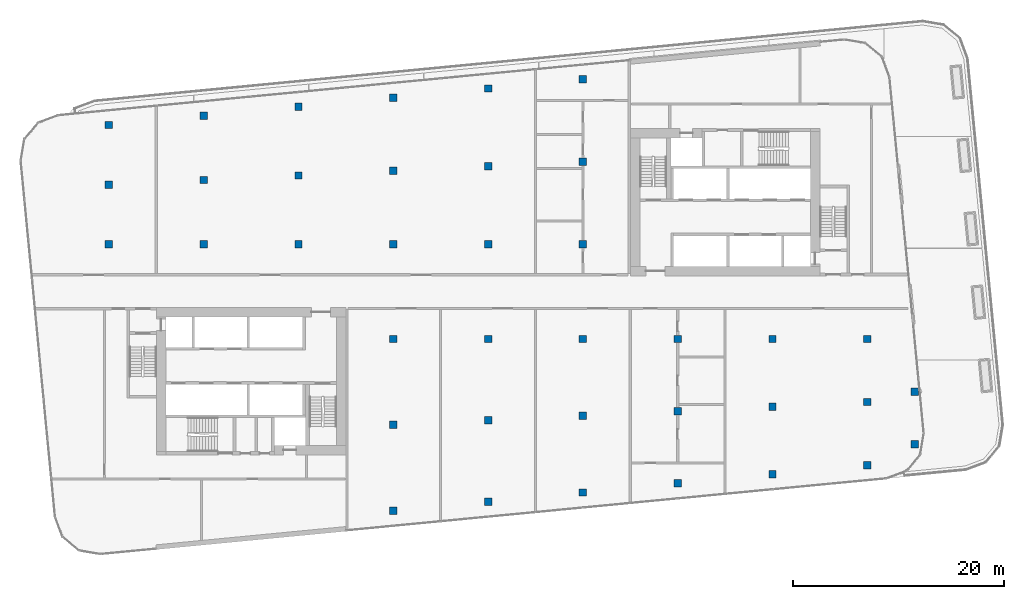
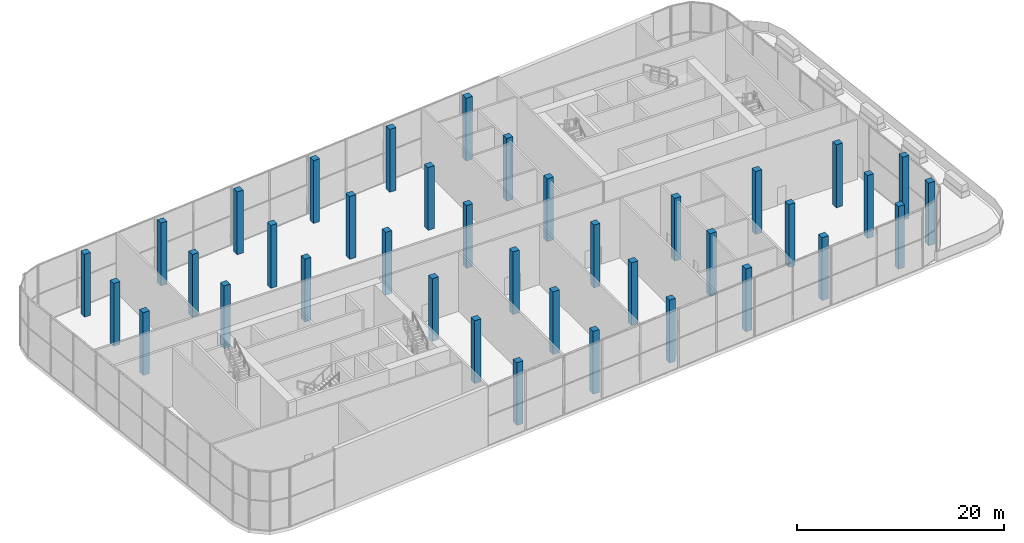
# One storey, part 1 of 25: 38 columns.
"""IFC4 building model written with IfcOpenShell, lengths in metres."""

from ifc_helpers import new_model, si_unit, direction, frame, origin, origin_2d, place, context, subcontext, project, spatial, rectangle, extrude, material, material_profile, profile_set, type_object, element, save


model = new_model("IFC4")

# Units and contexts
model_context = context("Model", 3, precision=1e-05, world=origin(), true_north=direction((0.0, 1.0)))
body_context = subcontext(model_context, "Body", "Model", "MODEL_VIEW")
ifc_project = project(units=[si_unit("LENGTHUNIT", "METRE"), si_unit("AREAUNIT", "SQUARE_METRE"), si_unit("VOLUMEUNIT", "CUBIC_METRE"), si_unit("PLANEANGLEUNIT", "RADIAN"), si_unit("MASSUNIT", "GRAM", prefix="KILO")], contexts=[model_context])

# Site, building, storey
site_placement = place(None, origin())
site = spatial("IfcSite", under=ifc_project, at=site_placement, CompositionType="ELEMENT")
building_placement = place(site_placement, origin())
building = spatial("IfcBuilding", under=site, at=building_placement, Name="Kajstack Hotel Tower", CompositionType="ELEMENT")
storey_placement = place(building_placement, frame((0.0, 0.0, 155.0)))
storey = spatial("IfcBuildingStorey", under=building, at=storey_placement, Name="L36", CompositionType="ELEMENT", Elevation=155.0)

# Columns
ifc_material = material(Name="Concrete C50/60", Category="concrete")
ifc_material_profile = material_profile(ifc_material, rectangle(XDim=0.699951171875, YDim=0.699951171875, at=origin_2d()), Name="RC 700x700")
ifc_profile_set = profile_set([ifc_material_profile], Name="Concrete C50/60")
column_type = type_object("IfcColumnType", Name="GC3 RC 700x700 C50/60", PredefinedType="COLUMN", material=ifc_profile_set)
for number, where, z_axis, x_axis, name in (
    (1, (-36.0, 4.5, 0.0), (0.0, 0.0, 1.0), (1.0, 0.0, 0.0), "S-col-g-L36--36p0+4p5"),
    (2, (-36.0, 10.16162109375, 0.0), (0.0, 0.0, 1.0), (1.0, 0.0, 0.0), "S-col-g-L36--36p0+10p2"),
    (3, (-36.0, 15.822998046875, 0.0), (0.0, 0.0, 1.0), (1.0, 0.0, 0.0), "S-col-g-L36--36p0+15p8"),
    (4, (-27.0, 4.5, 0.0), (0.0, 0.0, 1.0), (1.0, 0.0, 0.0), "S-col-g-L36--27p0+4p5"),
    (5, (-27.0, 10.594970703125, 0.0), (0.0, 0.0, 1.0), (1.0, 0.0, 0.0), "S-col-g-L36--27p0+10p6"),
    (6, (-27.0, 16.689697265625, 0.0), (0.0, 0.0, 1.0), (1.0, 0.0, 0.0), "S-col-g-L36--27p0+16p7"),
    (7, (-18.0, 4.5, 0.0), (0.0, 0.0, 1.0), (1.0, 0.0, 0.0), "S-col-g-L36--18p0+4p5"),
    (8, (-18.0, 11.028076171875, 0.0), (0.0, 0.0, 1.0), (1.0, 0.0, 0.0), "S-col-g-L36--18p0+11p0"),
    (9, (-18.0, 17.556396484375, 0.0), (0.0, 0.0, 1.0), (1.0, 0.0, 0.0), "S-col-g-L36--18p0+17p6"),
    (10, (-9.0, -20.799072265625, 0.0), (0.0, 0.0, 1.0), (1.0, 0.0, 0.0), "S-col-g-L36--9p0-20p8"),
    (11, (-9.0, -12.649658203125, 0.0), (0.0, 0.0, 1.0), (1.0, 0.0, 0.0), "S-col-g-L36--9p0-12p6"),
    (12, (-9.0, -4.5, 0.0), (0.0, 0.0, 1.0), (1.0, 0.0, 0.0), "S-col-g-L36--9p0-4p5"),
    (13, (-9.0, 4.5, 0.0), (0.0, 0.0, 1.0), (1.0, 0.0, 0.0), "S-col-g-L36--9p0+4p5"),
    (14, (-9.0, 11.46142578125, 0.0), (0.0, 0.0, 1.0), (1.0, 0.0, 0.0), "S-col-g-L36--9p0+11p5"),
    (15, (-9.0, 18.4228515625, 0.0), (0.0, 0.0, 1.0), (1.0, 0.0, 0.0), "S-col-g-L36--9p0+18p4"),
    (16, (0.0, -19.9326171875, 0.0), (0.0, 0.0, 1.0), (1.0, 0.0, 0.0), "S-col-g-L36-+0p0-19p9"),
    (17, (0.0, -12.21630859375, 0.0), (0.0, 0.0, 1.0), (1.0, 0.0, 0.0), "S-col-g-L36-+0p0-12p2"),
    (18, (0.0, -4.5, 0.0), (0.0, 0.0, 1.0), (1.0, 0.0, 0.0), "S-col-g-L36-+0p0-4p5"),
    (19, (0.0, 4.5, 0.0), (0.0, 0.0, 1.0), (1.0, 0.0, 0.0), "S-col-g-L36-+0p0+4p5"),
    (20, (0.0, 11.894775390625, 0.0), (0.0, 0.0, 1.0), (1.0, 0.0, 0.0), "S-col-g-L36-+0p0+11p9"),
    (21, (0.0, 19.28955078125, 0.0), (0.0, 0.0, 1.0), (1.0, 0.0, 0.0), "S-col-g-L36-+0p0+19p3"),
    (22, (9.0, -19.06591796875, 0.0), (0.0, 0.0, 1.0), (1.0, 0.0, 0.0), "S-col-g-L36-+9p0-19p1"),
    (23, (9.0, -11.782958984375, 0.0), (0.0, 0.0, 1.0), (1.0, 0.0, 0.0), "S-col-g-L36-+9p0-11p8"),
    (24, (9.0, -4.5, 0.0), (0.0, 0.0, 1.0), (1.0, 0.0, 0.0), "S-col-g-L36-+9p0-4p5"),
    (25, (9.0, 4.5, 0.0), (0.0, 0.0, 1.0), (1.0, 0.0, 0.0), "S-col-g-L36-+9p0+4p5"),
    (26, (9.0, 12.328125, 0.0), (0.0, 0.0, 1.0), (1.0, 0.0, 0.0), "S-col-g-L36-+9p0+12p3"),
    (27, (9.0, 20.156005859375, 0.0), (0.0, 0.0, 1.0), (1.0, 0.0, 0.0), "S-col-g-L36-+9p0+20p2"),
    (28, (18.0, -18.19921875, 0.0), (0.0, 0.0, 1.0), (1.0, 0.0, 0.0), "S-col-g-L36-+18p0-18p2"),
    (29, (18.0, -11.349609375, 0.0), (0.0, 0.0, 1.0), (1.0, 0.0, 0.0), "S-col-g-L36-+18p0-11p3"),
    (30, (18.0, -4.5, 0.0), (0.0, 0.0, 1.0), (1.0, 0.0, 0.0), "S-col-g-L36-+18p0-4p5"),
    (31, (27.0, -17.332763671875, 0.0), (0.0, 0.0, 1.0), (1.0, 0.0, 0.0), "S-col-g-L36-+27p0-17p3"),
    (32, (27.0, -10.916259765625, 0.0), (0.0, 0.0, 1.0), (1.0, 0.0, 0.0), "S-col-g-L36-+27p0-10p9"),
    (33, (27.0, -4.5, 0.0), (0.0, 0.0, 1.0), (1.0, 0.0, 0.0), "S-col-g-L36-+27p0-4p5"),
    (34, (36.0, -16.466064453125, 0.0), (0.0, 0.0, 1.0), (1.0, 0.0, 0.0), "S-col-g-L36-+36p0-16p5"),
    (35, (36.0, -10.483154296875, 0.0), (0.0, 0.0, 1.0), (1.0, 0.0, 0.0), "S-col-g-L36-+36p0-10p5"),
    (36, (36.0, -4.5, 0.0), (0.0, 0.0, 1.0), (1.0, 0.0, 0.0), "S-col-g-L36-+36p0-4p5"),
    (37, (40.5, -14.502685546875, 0.0), (0.0, 0.0, 1.0), (1.0, 0.0, 0.0), "S-col-g-L36-+40p5-14p5"),
    (38, (40.5, -9.501220703125, 0.0), (0.0, 0.0, 1.0), (1.0, 0.0, 0.0), "S-col-g-L36-+40p5-9p5"),
):
    element("IfcColumn", number, at=place(storey_placement, frame(where, z_axis=z_axis, x_axis=x_axis)), inside=storey, type_object=column_type, Name=name, PredefinedType="COLUMN", context=body_context, shape_type="SweptSolid", body=[
        extrude(rectangle(XDim=0.699951171875, YDim=0.699951171875, at=origin_2d()), origin(), (0.0, 0.0, 1.0), 7.39990234375),
    ])

save(model, "model.ifc")
